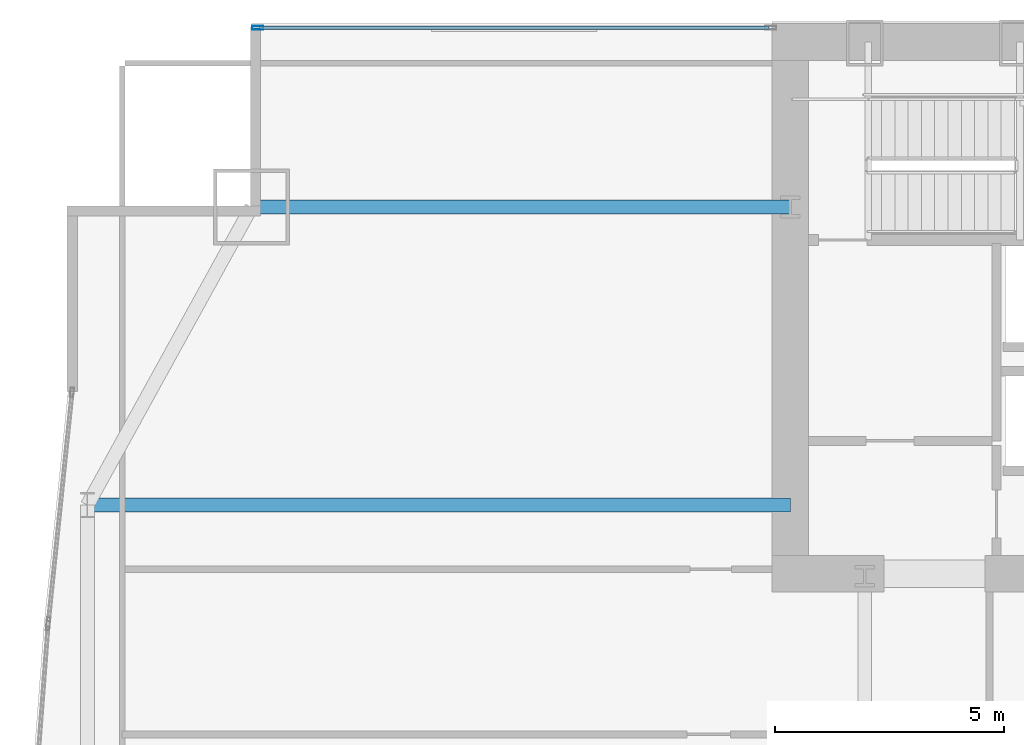
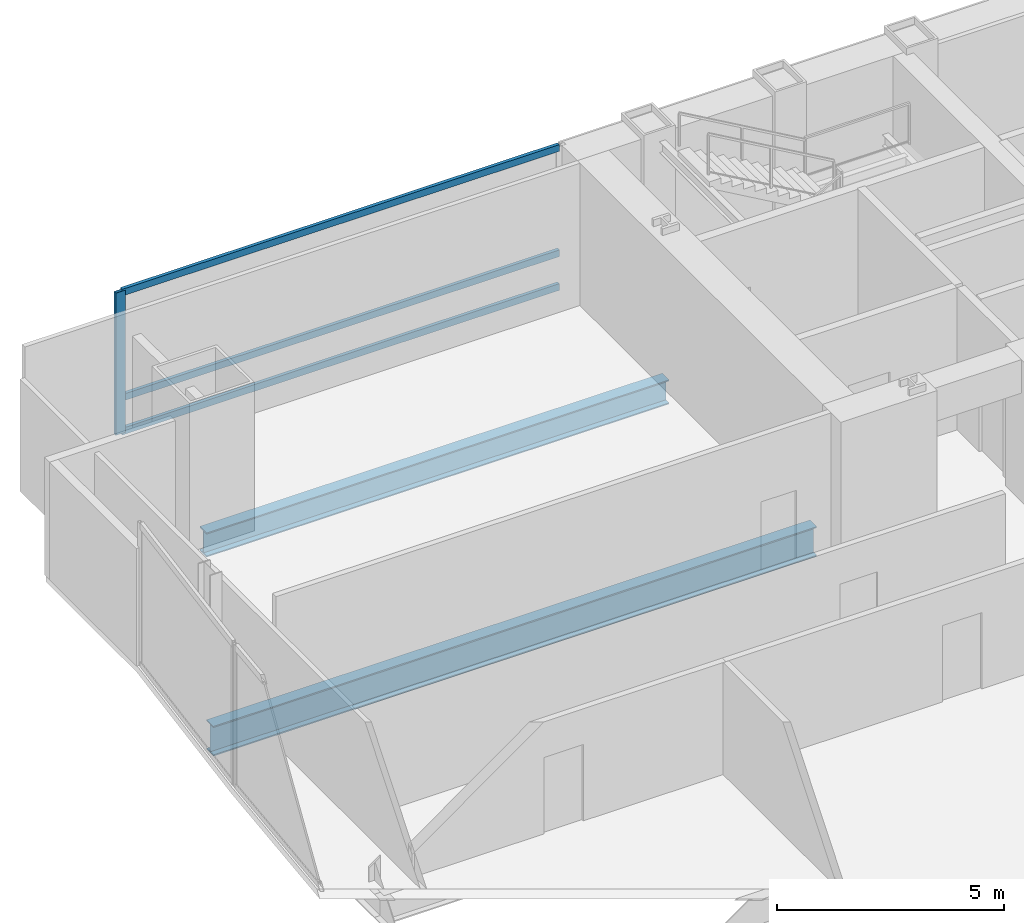
# One storey, part 17 of 32: 4 members, 2 beams, 1 element without a shape of its own.
"""IFC4 building model written with IfcOpenShell, lengths in metres."""

import ifcopenshell
import ifcopenshell.guid

model = None  # the IFC model being written
_history = None  # IfcOwnerHistory: only IFC2X3 demands one
_inside = {}  # id of a spatial element -> (the spatial element, [elements in it])
_under = {}  # id of a project, library or spatial element -> (it, [spatial elements below it])
_declared = {}  # id of a project -> (the project, [libraries it declares])
_typed = {}  # id of a type object -> (the type object, [elements of that type])
_made_of = {}  # id of a material, layer set ... -> (it, [elements and type objects made of it])


def new_model(schema):
    """Start an empty IFC model of exactly this schema.

    Asked for "IFC4X3", IfcOpenShell would pick the latest addendum, in which some entities
    have other attributes; the version numbers below select the first issue.
    IFC2X3 requires an IfcOwnerHistory on every rooted entity: one is made here for all.
    """
    global model, _history
    if schema == "IFC4X3":
        model = ifcopenshell.file(schema_version=(4, 3, 0, 0))
    else:
        model = ifcopenshell.file(schema=schema)
    _inside.clear()
    _under.clear()
    _declared.clear()
    _typed.clear()
    _made_of.clear()
    _history = None
    if model.schema == "IFC2X3":
        org = make("IfcOrganization", Name="unknown")
        user = make(
            "IfcPersonAndOrganization",
            ThePerson=make("IfcPerson", FamilyName="unknown"),
            TheOrganization=org,
        )
        app = make(
            "IfcApplication",
            ApplicationDeveloper=org,
            Version="unknown",
            ApplicationFullName="unknown",
            ApplicationIdentifier="unknown",
        )
        _history = make(
            "IfcOwnerHistory",
            OwningUser=user,
            OwningApplication=app,
            ChangeAction="ADDED",
            CreationDate=0,
        )
    return model


def make(cls, **values):
    """One entity of the class cls with the attributes given. An attribute that is None is left unset."""
    return model.create_entity(
        cls, **{name: value for name, value in values.items() if value is not None}
    )


def rooted(cls, **values):
    """An entity with a GlobalId (a new one), such as an element, a storey or a relation."""
    return make(cls, GlobalId=ifcopenshell.guid.new(), OwnerHistory=_history, **values)


def si_unit(unit_type, name, prefix=None):
    """IfcSIUnit, for example si_unit("LENGTHUNIT", "METRE", prefix="MILLI")."""
    return make("IfcSIUnit", UnitType=unit_type, Prefix=prefix, Name=name)


def assignment(units):
    """IfcUnitAssignment: the units of a project."""
    return None if units is None else make("IfcUnitAssignment", Units=units)


def point(xyz):
    """IfcCartesianPoint."""
    return None if xyz is None else make("IfcCartesianPoint", Coordinates=xyz)


def direction(xyz):
    """IfcDirection."""
    return None if xyz is None else make("IfcDirection", DirectionRatios=xyz)


def frame(location, z_axis=None, x_axis=None):
    """IfcAxis2Placement3D, a coordinate frame: its origin and axes. An axis left out is left unset."""
    return make(
        "IfcAxis2Placement3D",
        Location=point(location),
        Axis=direction(z_axis),
        RefDirection=direction(x_axis),
    )


def frame_2d(location, x_axis=None):
    """IfcAxis2Placement2D, a coordinate frame in the plane: its origin and x axis."""
    return make(
        "IfcAxis2Placement2D", Location=point(location), RefDirection=direction(x_axis)
    )


def origin():
    """The frame at (0, 0, 0) with its axes left unset."""
    return frame((0.0, 0.0, 0.0))


def origin_2d():
    """The frame at (0, 0) in the plane with its x axis left unset."""
    return frame_2d((0.0, 0.0))


def place(relative_to, where):
    """IfcLocalPlacement: puts the frame where relative to a parent placement (None: the world)."""
    return make(
        "IfcLocalPlacement", PlacementRelTo=relative_to, RelativePlacement=where
    )


def context(
    kind, dimensions, precision=None, world=None, true_north=None, identifier=None
):
    """IfcGeometricRepresentationContext, for example the 3D "Model" context."""
    return make(
        "IfcGeometricRepresentationContext",
        ContextIdentifier=identifier,
        ContextType=kind,
        CoordinateSpaceDimension=dimensions,
        Precision=precision,
        WorldCoordinateSystem=world,
        TrueNorth=true_north,
    )


def subcontext(parent, identifier, kind, view, scale=None):
    """IfcGeometricRepresentationSubContext, for example "Body" below "Model"."""
    return make(
        "IfcGeometricRepresentationSubContext",
        ContextIdentifier=identifier,
        ContextType=kind,
        ParentContext=parent,
        TargetScale=scale,
        TargetView=view,
    )


def project(units=None, contexts=None):
    """IfcProject with its units and contexts."""
    return rooted(
        "IfcProject",
        Name="project",
        RepresentationContexts=contexts,
        UnitsInContext=assignment(units),
    )


def spatial(cls, under=None, at=None, **own):
    """A site, building, storey or space (cls), placed at a placement, below another one or the project."""
    s = rooted(cls, ObjectPlacement=at, **own)
    if under is not None:
        _under.setdefault(under.id(), (under, []))[1].append(s)
    return s


def profile(cls, at=None, kind="AREA", **sizes):
    """A parametric profile (cls). Its sizes go by their IFC names, for example OverallWidth=200.0."""
    return make(cls, ProfileType=kind, Position=at, **sizes)


def hollow_rectangle(**sizes):
    """IfcRectangleHollowProfileDef."""
    return profile("IfcRectangleHollowProfileDef", **sizes)


def i_section(**sizes):
    """IfcIShapeProfileDef."""
    return profile("IfcIShapeProfileDef", **sizes)


def extrude(swept, where, along, depth):
    """IfcExtrudedAreaSolid: the profile swept, set in the frame where, extruded along a direction by depth."""
    return make(
        "IfcExtrudedAreaSolid",
        SweptArea=swept,
        Position=where,
        ExtrudedDirection=direction(along),
        Depth=depth,
    )


def shape(context_of_items, identifier, shape_type, items):
    """IfcShapeRepresentation: the items that make up one representation, for example the "Body"."""
    return make(
        "IfcShapeRepresentation",
        ContextOfItems=context_of_items,
        RepresentationIdentifier=identifier,
        RepresentationType=shape_type,
        Items=items,
    )


def material(Name=None, Category=None):
    """IfcMaterial."""
    return make("IfcMaterial", Name=Name, Category=Category)


def material_profile(
    of_material, cross_section, Name=None, Category=None, Priority=None
):
    """IfcMaterialProfile: a cross section and its material."""
    return make(
        "IfcMaterialProfile",
        Name=Name,
        Material=of_material,
        Profile=cross_section,
        Priority=Priority,
        Category=Category,
    )


def profile_set(profiles, Name=None, composite=None):
    """IfcMaterialProfileSet."""
    return make(
        "IfcMaterialProfileSet",
        Name=Name,
        MaterialProfiles=profiles,
        CompositeProfile=composite,
    )


def made_of(thing, what):
    """Note that an element or type object is made of a material, layer set ...; save() writes the relation."""
    if what is not None:
        _made_of.setdefault(what.id(), (what, []))[1].append(thing)
    return thing


def type_object(cls, material=None, **own):
    """A type object (cls), such as IfcWallType, which elements share."""
    return made_of(rooted(cls, **own), material)


def element(
    cls,
    number,
    at=None,
    inside=None,
    cuts=None,
    type_object=None,
    material=None,
    context=None,
    identifier="Body",
    shape_type=None,
    held_by="IfcProductDefinitionShape",
    body=None,
    shapes=None,
    **own,
):
    """One element of the class cls, such as IfcWall. Its Tag is "e" and its number.

    at: its placement. inside: the storey or other place that contains it. cuts: it is an
    opening in that element (IfcRelVoidsElement). A single representation is given by context,
    identifier, shape_type and body (its items); several are given by shapes. held_by: the class
    of the entity that holds the representations. save() writes the other relations.
    """
    e = rooted(cls, Tag="e%d" % number, ObjectPlacement=at, **own)
    if body is not None:
        shapes = [shape(context, identifier, shape_type, body)]
    if shapes is not None:
        e.Representation = make(held_by, Representations=shapes)
    if inside is not None:
        _inside.setdefault(inside.id(), (inside, []))[1].append(e)
    if cuts is not None:
        rooted(
            "IfcRelVoidsElement", RelatingBuildingElement=cuts, RelatedOpeningElement=e
        )
    if type_object is not None:
        _typed.setdefault(type_object.id(), (type_object, []))[1].append(e)
    return made_of(e, material)


def aggregate(whole, parts):
    """IfcRelAggregates: a whole, such as a stair, and the parts it consists of."""
    return rooted("IfcRelAggregates", RelatingObject=whole, RelatedObjects=parts)


def save(model, path):
    """Write the relations noted so far, then the file.

    IfcRelAggregates (storeys below a building ...), IfcRelContainedInSpatialStructure (elements
    in a storey), IfcRelDefinesByType, IfcRelAssociatesMaterial and IfcRelDeclares: one each for
    every whole, place, type object, material and project.
    """
    for whole, parts in _under.values():
        aggregate(whole, parts)
    for where, things in _inside.values():
        rooted(
            "IfcRelContainedInSpatialStructure",
            RelatedElements=things,
            RelatingStructure=where,
        )
    for kind, things in _typed.values():
        rooted("IfcRelDefinesByType", RelatedObjects=things, RelatingType=kind)
    for what, things in _made_of.values():
        rooted("IfcRelAssociatesMaterial", RelatedObjects=things, RelatingMaterial=what)
    for by, libraries in _declared.values():
        rooted("IfcRelDeclares", RelatingContext=by, RelatedDefinitions=libraries)
    model.write(path)


model = new_model("IFC4")

# Units and contexts
model_context = context("Model", 3, precision=1e-05, world=origin(), true_north=direction((0.0, 1.0)))
body_context = subcontext(model_context, "Body", "Model", "MODEL_VIEW")
ifc_project = project(units=[si_unit("LENGTHUNIT", "METRE"), si_unit("AREAUNIT", "SQUARE_METRE"), si_unit("VOLUMEUNIT", "CUBIC_METRE"), si_unit("PLANEANGLEUNIT", "RADIAN"), si_unit("MASSUNIT", "GRAM", prefix="KILO")], contexts=[model_context])

# Site, building, storey
site_placement = place(None, origin())
site = spatial("IfcSite", under=ifc_project, at=site_placement, CompositionType="ELEMENT")
building_placement = place(site_placement, origin())
building = spatial("IfcBuilding", under=site, at=building_placement, Name="Khoronbel Lancet Exchange", CompositionType="ELEMENT")
storey_placement = place(building_placement, frame((0.0, 0.0, 29.800048828125)))
storey = spatial("IfcBuildingStorey", under=building, at=storey_placement, Name="L06", CompositionType="ELEMENT", Elevation=29.800048828125)

# Beams
ifc_material_1 = material(Name="Steel S355", Category="steel")
ifc_material_profile_1 = material_profile(ifc_material_1, i_section(OverallWidth=0.300048828125, OverallDepth=0.800048828125, WebThickness=0.017578125, FlangeThickness=0.032958984375, at=origin_2d()), Name="HEB 800")
ifc_profile_set_1 = profile_set([ifc_material_profile_1], Name="Steel S355")
beam_type_1 = type_object("IfcBeamType", Name="BM-BG2", PredefinedType="BEAM", material=ifc_profile_set_1)
beam_1_placement = place(storey_placement, frame((1.27001953125, 43.199951171875, -0.580078125), z_axis=(1.0, 0.0, 0.0), x_axis=(0.0, 1.0, 0.0)))
element("IfcBeam", 1, at=beam_1_placement, inside=storey, type_object=beam_type_1, Name="Level L06 west lens tie girder LG3W", PredefinedType="BEAM", context=body_context, shape_type="SweptSolid", body=[
    extrude(i_section(OverallWidth=0.300048828125, OverallDepth=0.800048828125, WebThickness=0.017578125, FlangeThickness=0.032958984375, at=origin_2d()), origin(), (0.0, 0.0, 1.0), 15.330078125),
])
ifc_material_profile_2 = material_profile(ifc_material_1, i_section(OverallWidth=0.300048828125, OverallDepth=0.64990234375, WebThickness=0.01611328125, FlangeThickness=0.031005859375, at=origin_2d()), Name="HEB 650")
ifc_profile_set_2 = profile_set([ifc_material_profile_2], Name="Steel S355")
beam_type_2 = type_object("IfcBeamType", Name="BM-BSP1", PredefinedType="SPANDREL", material=ifc_profile_set_2)
beam_2_placement = place(storey_placement, frame((4.85009765625, 49.699951171875, -0.505126953125), z_axis=(1.0, 0.0, 0.0), x_axis=(0.0, 1.0, 0.0)))
element("IfcBeam", 2, at=beam_2_placement, inside=storey, type_object=beam_type_2, Name="Level L06 north flank tie spandrel SP22", PredefinedType="SPANDREL", context=body_context, shape_type="SweptSolid", body=[
    extrude(i_section(OverallWidth=0.300048828125, OverallDepth=0.64990234375, WebThickness=0.01611328125, FlangeThickness=0.031005859375, at=origin_2d()), origin(), (0.0, 0.0, 1.0), 11.75),
])

# Curtain wall, members
ifc_material_2 = material(Name="Low-E Solar Control Insulating Glass", Category="glass")
curtain_wall_type = type_object("IfcCurtainWallType", Name="CW-1", PredefinedType="NOTDEFINED", material=ifc_material_2)
curtain_wall_placement = place(storey_placement, origin())
curtain_wall = element("IfcCurtainWall", 3, at=curtain_wall_placement, inside=storey, type_object=curtain_wall_type, Name="Unitised curtain wall CW-L06-NWFLK", PredefinedType="NOTDEFINED")
ifc_material_3 = material(Name="Bronze-Anodised Aluminium 6063-T6", Category="aluminium")
ifc_material_profile_3 = material_profile(ifc_material_3, hollow_rectangle(XDim=0.0849609375, YDim=0.239990234375, WallThickness=0.006103515625, at=origin_2d()), Name="ALU MULLION 85x240")
ifc_profile_set_3 = profile_set([ifc_material_profile_3], Name="Bronze-Anodised Aluminium 6063-T6")
member_type_1 = type_object("IfcMemberType", Name="MEM-CWM1", PredefinedType="MULLION", material=ifc_profile_set_3)
member_1_placement = place(storey_placement, frame((4.982421875, 53.610107421875, 0.0), z_axis=(0.0, 0.0, 1.0), x_axis=(0.0, -1.0, 0.0)))
member_1 = element("IfcMember", 4, at=member_1_placement, type_object=member_type_1, Name="CW1 mullion 2", PredefinedType="MULLION", context=body_context, shape_type="SweptSolid", body=[
    extrude(hollow_rectangle(XDim=0.0849609375, YDim=0.239990234375, WallThickness=0.006103515625, at=origin_2d()), origin(), (0.0, 0.0, 1.0), 3.820068359375),
])
ifc_material_profile_4 = material_profile(ifc_material_3, hollow_rectangle(XDim=0.0849609375, YDim=0.179931640625, WallThickness=0.0048828125, at=origin_2d()), Name="ALU TRANSOM 85x180")
ifc_profile_set_4 = profile_set([ifc_material_profile_4], Name="Bronze-Anodised Aluminium 6063-T6")
member_type_2 = type_object("IfcMemberType", Name="MEM-CWT1", PredefinedType="USERDEFINED", material=ifc_profile_set_4)
member_2_placement = place(storey_placement, frame((16.135009765625, 53.610107421875, 0.04248046875), z_axis=(-1.0, 0.0, 0.0), x_axis=(0.0, -1.0, 0.0)))
member_2 = element("IfcMember", 5, at=member_2_placement, type_object=member_type_2, Name="CW1 transom 1.1", ObjectType="TRANSOM", PredefinedType="USERDEFINED", context=body_context, shape_type="SweptSolid", body=[
    extrude(hollow_rectangle(XDim=0.0849609375, YDim=0.179931640625, WallThickness=0.0048828125, at=origin_2d()), origin(), (0.0, 0.0, 1.0), 11.110107421875),
])
member_3_placement = place(storey_placement, frame((16.135009765625, 53.610107421875, 0.949951171875), z_axis=(-1.0, 0.0, 0.0), x_axis=(0.0, -1.0, 0.0)))
member_3 = element("IfcMember", 6, at=member_3_placement, type_object=member_type_2, Name="CW1 transom 1.2", ObjectType="TRANSOM", PredefinedType="USERDEFINED", context=body_context, shape_type="SweptSolid", body=[
    extrude(hollow_rectangle(XDim=0.0849609375, YDim=0.179931640625, WallThickness=0.0048828125, at=origin_2d()), origin(), (0.0, 0.0, 1.0), 11.110107421875),
])
member_4_placement = place(storey_placement, frame((16.135009765625, 53.610107421875, 3.77734375), z_axis=(-1.0, 0.0, 0.0), x_axis=(0.0, -1.0, 0.0)))
member_4 = element("IfcMember", 7, at=member_4_placement, type_object=member_type_2, Name="CW1 transom 1.3", ObjectType="TRANSOM", PredefinedType="USERDEFINED", context=body_context, shape_type="SweptSolid", body=[
    extrude(hollow_rectangle(XDim=0.0849609375, YDim=0.179931640625, WallThickness=0.0048828125, at=origin_2d()), origin(), (0.0, 0.0, 1.0), 11.110107421875),
])
aggregate(curtain_wall, [member_1, member_2, member_3, member_4])

save(model, "model.ifc")
